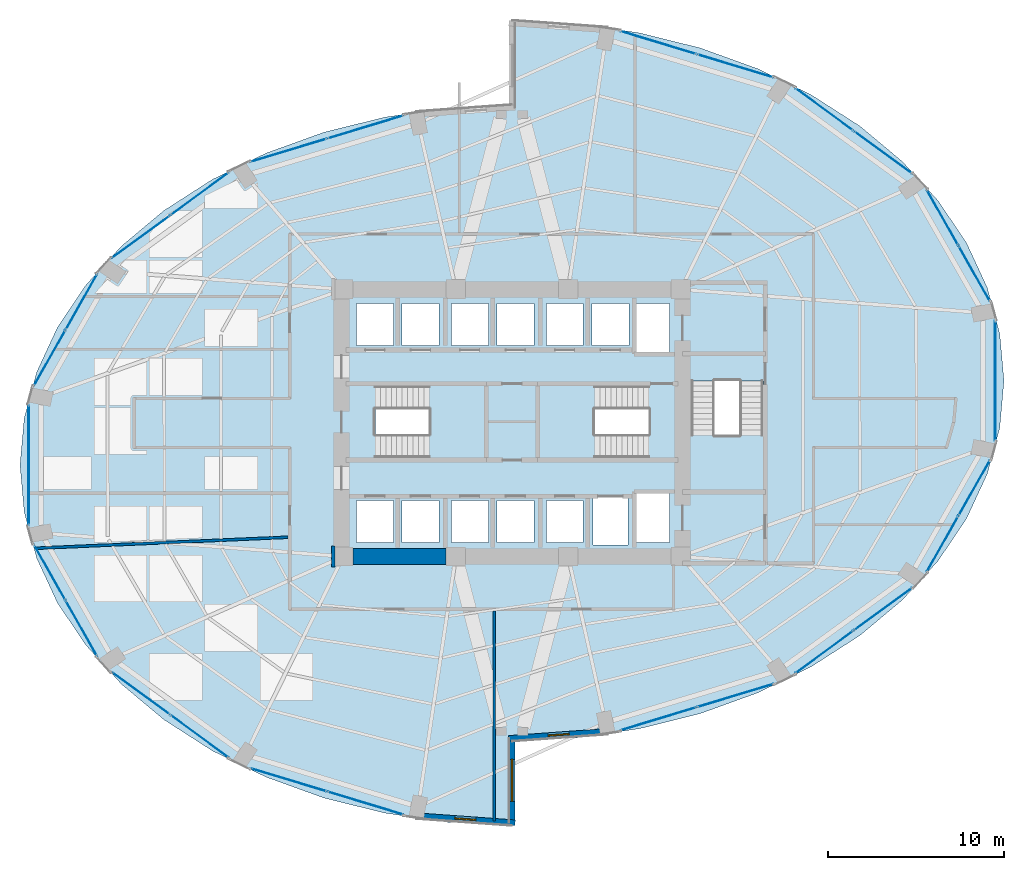
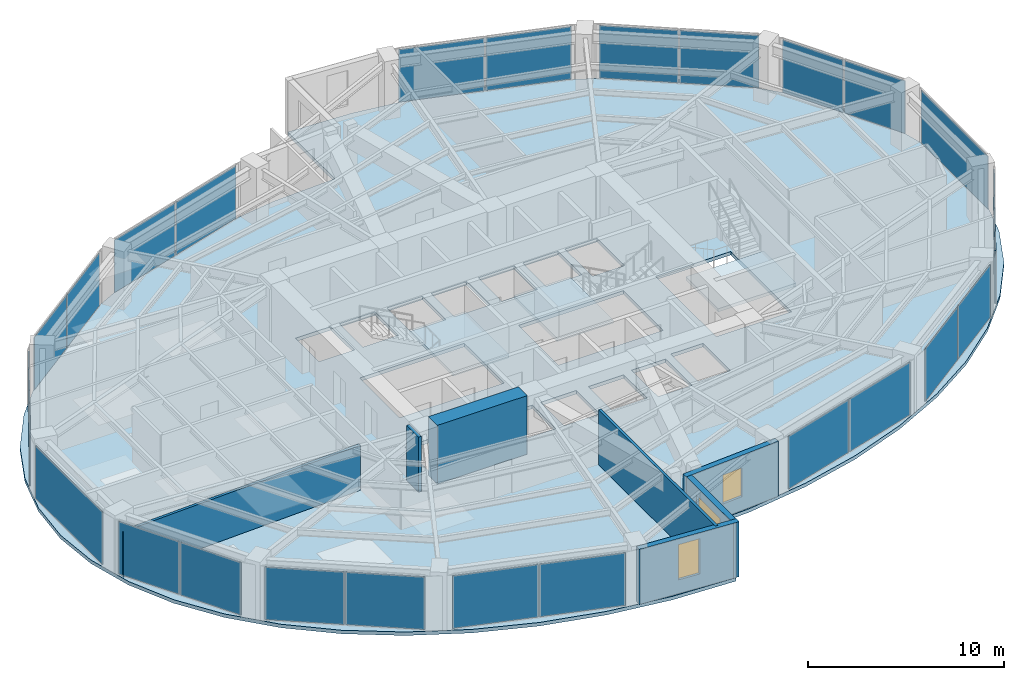
# One storey, part 19 of 24: 26 plates, 7 walls, 4 slabs, 3 windows, 3 openings, 17 elements without a shape of their own.
"""IFC4 building model written with IfcOpenShell, lengths in metres."""

from ifc_helpers import new_model, si_unit, direction, frame, frame_2d, origin, origin_2d, place, context, subcontext, project, spatial, polyline, rectangle, outline, extrude, material, layer, layer_set, type_object, element, fill, aggregate, save


model = new_model("IFC4")

# Units and contexts
model_context = context("Model", 3, precision=1e-05, world=origin(), true_north=direction((0.0, 1.0)))
body_context = subcontext(model_context, "Body", "Model", "MODEL_VIEW")
ifc_project = project(units=[si_unit("LENGTHUNIT", "METRE"), si_unit("AREAUNIT", "SQUARE_METRE"), si_unit("VOLUMEUNIT", "CUBIC_METRE"), si_unit("PLANEANGLEUNIT", "RADIAN"), si_unit("MASSUNIT", "GRAM", prefix="KILO")], contexts=[model_context])

# Site, building, storey
site_placement = place(None, origin())
site = spatial("IfcSite", under=ifc_project, at=site_placement, CompositionType="ELEMENT")
building_placement = place(site_placement, origin())
building = spatial("IfcBuilding", under=site, at=building_placement, Name="Lazwardi Medical Tower", CompositionType="ELEMENT")
storey_placement = place(building_placement, frame((0.0, 0.0, 36.14404296875)))
storey = spatial("IfcBuildingStorey", under=building, at=storey_placement, Name="L08", CompositionType="ELEMENT", Elevation=36.14404296875)

# Curtain wall, plates
ifc_material_1 = material(Name="Anodised bronze aluminium and solar control glazing", Category="aluminium")
ifc_layer_1 = layer(ifc_material_1, 0.199951171875)
ifc_layer_set_1 = layer_set([ifc_layer_1], Name="Anodised bronze aluminium and solar control glazing")
curtain_wall_type = type_object("IfcCurtainWallType", Name="CW-SYS-02", PredefinedType="NOTDEFINED", material=ifc_layer_set_1)
curtain_wall_1_placement = place(storey_placement, origin())
curtain_wall_1 = element("IfcCurtainWall", 1, at=curtain_wall_1_placement, inside=storey, type_object=curtain_wall_type, Name="L08 Unitised bronze curtain wall CW-02", PredefinedType="NOTDEFINED")
ifc_material_2 = material(Name="Low-e bronze solar control double glazing", Category="glass")
ifc_layer_2 = layer(ifc_material_2, 0.035888671875)
ifc_layer_set_2 = layer_set([ifc_layer_2], Name="Low-e bronze solar control double glazing")
plate_type = type_object("IfcPlateType", Name="PLT-GLZ-01", PredefinedType="CURTAIN_PANEL", material=ifc_layer_set_2)
plate_1_placement = place(storey_placement, frame((44.335693359375, 11.158935546875, 0.07470703125), z_axis=(0.0, 0.0, 1.0), x_axis=(0.957058247129, 0.2898956909, 0.0)))
plate_1 = element("IfcPlate", 2, at=plate_1_placement, type_object=plate_type, Name="CW-02 panel 1.1", PredefinedType="CURTAIN_PANEL", context=body_context, shape_type="SweptSolid", body=[
    extrude(rectangle(XDim=4.49658203125, YDim=0.035888671875, at=origin_2d()), origin(), (0.0, 0.0, 1.0), 3.278076171875),
])
plate_2_placement = place(storey_placement, frame((48.7109375, 12.484130859375, 0.07470703125), z_axis=(0.0, 0.0, 1.0), x_axis=(0.957058247129, 0.2898956909, 0.0)))
plate_2 = element("IfcPlate", 3, at=plate_2_placement, type_object=plate_type, Name="CW-02 panel 2.1", PredefinedType="CURTAIN_PANEL", context=body_context, shape_type="SweptSolid", body=[
    extrude(rectangle(XDim=4.49658203125, YDim=0.035888671875, at=origin_2d()), origin(), (0.0, 0.0, 1.0), 3.278076171875),
])
aggregate(curtain_wall_1, [plate_1, plate_2])

curtain_wall_2_placement = place(storey_placement, origin())
curtain_wall_2 = element("IfcCurtainWall", 4, at=curtain_wall_2_placement, inside=storey, type_object=curtain_wall_type, Name="L08 Unitised bronze curtain wall CW-02", PredefinedType="NOTDEFINED")
plate_3_placement = place(storey_placement, frame((53.771484375, 14.957275390625, 0.07470703125), z_axis=(0.0, 0.0, 1.0), x_axis=(0.807191757663, 0.590289307341, 0.0)))
plate_3 = element("IfcPlate", 5, at=plate_3_placement, type_object=plate_type, Name="CW-02 panel 1.1", PredefinedType="CURTAIN_PANEL", context=body_context, shape_type="SweptSolid", body=[
    extrude(rectangle(XDim=4.070068359375, YDim=0.035888671875, at=origin_2d()), origin(), (0.0, 0.0, 1.0), 3.278076171875),
])
plate_4_placement = place(storey_placement, frame((57.117431640625, 17.404052734375, 0.07470703125), z_axis=(0.0, 0.0, 1.0), x_axis=(0.807191757663, 0.590289307341, 0.0)))
plate_4 = element("IfcPlate", 6, at=plate_4_placement, type_object=plate_type, Name="CW-02 panel 2.1", PredefinedType="CURTAIN_PANEL", context=body_context, shape_type="SweptSolid", body=[
    extrude(rectangle(XDim=4.070068359375, YDim=0.035888671875, at=origin_2d()), origin(), (0.0, 0.0, 1.0), 3.278076171875),
])
aggregate(curtain_wall_2, [plate_3, plate_4])

curtain_wall_3_placement = place(storey_placement, origin())
curtain_wall_3 = element("IfcCurtainWall", 7, at=curtain_wall_3_placement, inside=storey, type_object=curtain_wall_type, Name="L08 Unitised bronze curtain wall CW-02", PredefinedType="NOTDEFINED")
plate_5_placement = place(storey_placement, frame((60.5009765625, 21.10791015625, 0.07470703125), z_axis=(0.0, 0.0, 1.0), x_axis=(0.492854327303, 0.870111838823, 0.0)))
plate_5 = element("IfcPlate", 8, at=plate_5_placement, type_object=plate_type, Name="CW-02 panel 1.1", PredefinedType="CURTAIN_PANEL", context=body_context, shape_type="SweptSolid", body=[
    extrude(rectangle(XDim=3.5947265625, YDim=0.035888671875, at=origin_2d()), origin(), (0.0, 0.0, 1.0), 3.278076171875),
])
plate_6_placement = place(storey_placement, frame((62.3095703125, 24.301025390625, 0.07470703125), z_axis=(0.0, 0.0, 1.0), x_axis=(0.492854327303, 0.870111838823, 0.0)))
plate_6 = element("IfcPlate", 9, at=plate_6_placement, type_object=plate_type, Name="CW-02 panel 2.1", PredefinedType="CURTAIN_PANEL", context=body_context, shape_type="SweptSolid", body=[
    extrude(rectangle(XDim=3.5947265625, YDim=0.035888671875, at=origin_2d()), origin(), (0.0, 0.0, 1.0), 3.278076171875),
])
aggregate(curtain_wall_3, [plate_5, plate_6])

# Curtain wall, plate
curtain_wall_4_placement = place(storey_placement, origin())
curtain_wall_4 = element("IfcCurtainWall", 10, at=curtain_wall_4_placement, inside=storey, type_object=curtain_wall_type, Name="L08 Unitised bronze curtain wall CW-02", PredefinedType="NOTDEFINED")
plate_7_placement = place(storey_placement, frame((63.49853515625, 30.39990234375, 0.07470703125), z_axis=(0.0, 0.0, 1.0), x_axis=(0.0, 1.0, 0.0)))
plate_7 = element("IfcPlate", 11, at=plate_7_placement, type_object=plate_type, Name="CW-02 panel 1.1", PredefinedType="CURTAIN_PANEL", context=body_context, shape_type="SweptSolid", body=[
    extrude(rectangle(XDim=6.8330078125, YDim=0.035888671875, at=origin_2d()), origin(), (0.0, 0.0, 1.0), 3.278076171875),
])
aggregate(curtain_wall_4, [plate_7])

# Curtain wall, plates
curtain_wall_5_placement = place(storey_placement, origin())
curtain_wall_5 = element("IfcCurtainWall", 12, at=curtain_wall_5_placement, inside=storey, type_object=curtain_wall_type, Name="L08 Unitised bronze curtain wall CW-02", PredefinedType="NOTDEFINED")
plate_8_placement = place(storey_placement, frame((62.3095703125, 36.498779296875, 0.07470703125), z_axis=(0.0, 0.0, 1.0), x_axis=(-0.492854327303, 0.870111838823, 0.0)))
plate_8 = element("IfcPlate", 13, at=plate_8_placement, type_object=plate_type, Name="CW-02 panel 1.1", PredefinedType="CURTAIN_PANEL", context=body_context, shape_type="SweptSolid", body=[
    extrude(rectangle(XDim=3.5947265625, YDim=0.035888671875, at=origin_2d()), origin(), (0.0, 0.0, 1.0), 3.278076171875),
])
plate_9_placement = place(storey_placement, frame((60.5009765625, 39.69189453125, 0.07470703125), z_axis=(0.0, 0.0, 1.0), x_axis=(-0.492854327303, 0.870111838823, 0.0)))
plate_9 = element("IfcPlate", 14, at=plate_9_placement, type_object=plate_type, Name="CW-02 panel 2.1", PredefinedType="CURTAIN_PANEL", context=body_context, shape_type="SweptSolid", body=[
    extrude(rectangle(XDim=3.5947265625, YDim=0.035888671875, at=origin_2d()), origin(), (0.0, 0.0, 1.0), 3.278076171875),
])
aggregate(curtain_wall_5, [plate_8, plate_9])

curtain_wall_6_placement = place(storey_placement, origin())
curtain_wall_6 = element("IfcCurtainWall", 15, at=curtain_wall_6_placement, inside=storey, type_object=curtain_wall_type, Name="L08 Unitised bronze curtain wall CW-02", PredefinedType="NOTDEFINED")
plate_10_placement = place(storey_placement, frame((57.117431640625, 43.39599609375, 0.07470703125), z_axis=(0.0, 0.0, 1.0), x_axis=(-0.807191757663, 0.590289307341, 0.0)))
plate_10 = element("IfcPlate", 16, at=plate_10_placement, type_object=plate_type, Name="CW-02 panel 1.1", PredefinedType="CURTAIN_PANEL", context=body_context, shape_type="SweptSolid", body=[
    extrude(rectangle(XDim=4.070068359375, YDim=0.035888671875, at=origin_2d()), origin(), (0.0, 0.0, 1.0), 3.278076171875),
])
plate_11_placement = place(storey_placement, frame((53.771484375, 45.8427734375, 0.07470703125), z_axis=(0.0, 0.0, 1.0), x_axis=(-0.807191757663, 0.590289307341, 0.0)))
plate_11 = element("IfcPlate", 17, at=plate_11_placement, type_object=plate_type, Name="CW-02 panel 2.1", PredefinedType="CURTAIN_PANEL", context=body_context, shape_type="SweptSolid", body=[
    extrude(rectangle(XDim=4.070068359375, YDim=0.035888671875, at=origin_2d()), origin(), (0.0, 0.0, 1.0), 3.278076171875),
])
aggregate(curtain_wall_6, [plate_10, plate_11])

curtain_wall_7_placement = place(storey_placement, origin())
curtain_wall_7 = element("IfcCurtainWall", 18, at=curtain_wall_7_placement, inside=storey, type_object=curtain_wall_type, Name="L08 Unitised bronze curtain wall CW-02", PredefinedType="NOTDEFINED")
plate_12_placement = place(storey_placement, frame((48.7109375, 48.31591796875, 0.07470703125), z_axis=(0.0, 0.0, 1.0), x_axis=(-0.957058247129, 0.2898956909, 0.0)))
plate_12 = element("IfcPlate", 19, at=plate_12_placement, type_object=plate_type, Name="CW-02 panel 1.1", PredefinedType="CURTAIN_PANEL", context=body_context, shape_type="SweptSolid", body=[
    extrude(rectangle(XDim=4.49658203125, YDim=0.035888671875, at=origin_2d()), origin(), (0.0, 0.0, 1.0), 3.278076171875),
])
plate_13_placement = place(storey_placement, frame((44.335693359375, 49.64111328125, 0.07470703125), z_axis=(0.0, 0.0, 1.0), x_axis=(-0.957058247129, 0.2898956909, 0.0)))
plate_13 = element("IfcPlate", 20, at=plate_13_placement, type_object=plate_type, Name="CW-02 panel 2.1", PredefinedType="CURTAIN_PANEL", context=body_context, shape_type="SweptSolid", body=[
    extrude(rectangle(XDim=4.49658203125, YDim=0.035888671875, at=origin_2d()), origin(), (0.0, 0.0, 1.0), 3.278076171875),
])
aggregate(curtain_wall_7, [plate_12, plate_13])

curtain_wall_8_placement = place(storey_placement, origin())
curtain_wall_8 = element("IfcCurtainWall", 21, at=curtain_wall_8_placement, inside=storey, type_object=curtain_wall_type, Name="L08 Unitised bronze curtain wall CW-02", PredefinedType="NOTDEFINED")
plate_14_placement = place(storey_placement, frame((27.664306640625, 44.841064453125, 0.07470703125), z_axis=(0.0, 0.0, 1.0), x_axis=(-0.957058247129, -0.2898956909, 0.0)))
plate_14 = element("IfcPlate", 22, at=plate_14_placement, type_object=plate_type, Name="CW-02 panel 1.1", PredefinedType="CURTAIN_PANEL", context=body_context, shape_type="SweptSolid", body=[
    extrude(rectangle(XDim=4.49658203125, YDim=0.035888671875, at=origin_2d()), origin(), (0.0, 0.0, 1.0), 3.278076171875),
])
plate_15_placement = place(storey_placement, frame((23.2890625, 43.515869140625, 0.07470703125), z_axis=(0.0, 0.0, 1.0), x_axis=(-0.957058247129, -0.2898956909, 0.0)))
plate_15 = element("IfcPlate", 23, at=plate_15_placement, type_object=plate_type, Name="CW-02 panel 2.1", PredefinedType="CURTAIN_PANEL", context=body_context, shape_type="SweptSolid", body=[
    extrude(rectangle(XDim=4.49658203125, YDim=0.035888671875, at=origin_2d()), origin(), (0.0, 0.0, 1.0), 3.278076171875),
])
aggregate(curtain_wall_8, [plate_14, plate_15])

curtain_wall_9_placement = place(storey_placement, origin())
curtain_wall_9 = element("IfcCurtainWall", 24, at=curtain_wall_9_placement, inside=storey, type_object=curtain_wall_type, Name="L08 Unitised bronze curtain wall CW-02", PredefinedType="NOTDEFINED")
plate_16_placement = place(storey_placement, frame((18.228515625, 41.042724609375, 0.07470703125), z_axis=(0.0, 0.0, 1.0), x_axis=(-0.807191757663, -0.590289307341, 0.0)))
plate_16 = element("IfcPlate", 25, at=plate_16_placement, type_object=plate_type, Name="CW-02 panel 1.1", PredefinedType="CURTAIN_PANEL", context=body_context, shape_type="SweptSolid", body=[
    extrude(rectangle(XDim=4.070068359375, YDim=0.035888671875, at=origin_2d()), origin(), (0.0, 0.0, 1.0), 3.278076171875),
])
plate_17_placement = place(storey_placement, frame((14.882568359375, 38.595947265625, 0.07470703125), z_axis=(0.0, 0.0, 1.0), x_axis=(-0.807191757663, -0.590289307341, 0.0)))
plate_17 = element("IfcPlate", 26, at=plate_17_placement, type_object=plate_type, Name="CW-02 panel 2.1", PredefinedType="CURTAIN_PANEL", context=body_context, shape_type="SweptSolid", body=[
    extrude(rectangle(XDim=4.070068359375, YDim=0.035888671875, at=origin_2d()), origin(), (0.0, 0.0, 1.0), 3.278076171875),
])
aggregate(curtain_wall_9, [plate_16, plate_17])

curtain_wall_10_placement = place(storey_placement, origin())
curtain_wall_10 = element("IfcCurtainWall", 27, at=curtain_wall_10_placement, inside=storey, type_object=curtain_wall_type, Name="L08 Unitised bronze curtain wall CW-02", PredefinedType="NOTDEFINED")
plate_18_placement = place(storey_placement, frame((11.4990234375, 34.89208984375, 0.07470703125), z_axis=(0.0, 0.0, 1.0), x_axis=(-0.492854327303, -0.870111838823, 0.0)))
plate_18 = element("IfcPlate", 28, at=plate_18_placement, type_object=plate_type, Name="CW-02 panel 1.1", PredefinedType="CURTAIN_PANEL", context=body_context, shape_type="SweptSolid", body=[
    extrude(rectangle(XDim=3.5947265625, YDim=0.035888671875, at=origin_2d()), origin(), (0.0, 0.0, 1.0), 3.278076171875),
])
plate_19_placement = place(storey_placement, frame((9.6904296875, 31.698974609375, 0.07470703125), z_axis=(0.0, 0.0, 1.0), x_axis=(-0.492854327303, -0.870111838823, 0.0)))
plate_19 = element("IfcPlate", 29, at=plate_19_placement, type_object=plate_type, Name="CW-02 panel 2.1", PredefinedType="CURTAIN_PANEL", context=body_context, shape_type="SweptSolid", body=[
    extrude(rectangle(XDim=3.5947265625, YDim=0.035888671875, at=origin_2d()), origin(), (0.0, 0.0, 1.0), 3.278076171875),
])
aggregate(curtain_wall_10, [plate_18, plate_19])

# Curtain wall, plate
curtain_wall_11_placement = place(storey_placement, origin())
curtain_wall_11 = element("IfcCurtainWall", 30, at=curtain_wall_11_placement, inside=storey, type_object=curtain_wall_type, Name="L08 Unitised bronze curtain wall CW-02", PredefinedType="NOTDEFINED")
plate_20_placement = place(storey_placement, frame((8.50146484375, 25.60009765625, 0.07470703125), z_axis=(0.0, 0.0, 1.0), x_axis=(0.0, -1.0, 0.0)))
plate_20 = element("IfcPlate", 31, at=plate_20_placement, type_object=plate_type, Name="CW-02 panel 1.1", PredefinedType="CURTAIN_PANEL", context=body_context, shape_type="SweptSolid", body=[
    extrude(rectangle(XDim=6.8330078125, YDim=0.035888671875, at=origin_2d()), origin(), (0.0, 0.0, 1.0), 3.278076171875),
])
aggregate(curtain_wall_11, [plate_20])

# Curtain wall, plates
curtain_wall_12_placement = place(storey_placement, origin())
curtain_wall_12 = element("IfcCurtainWall", 32, at=curtain_wall_12_placement, inside=storey, type_object=curtain_wall_type, Name="L08 Unitised bronze curtain wall CW-02", PredefinedType="NOTDEFINED")
plate_21_placement = place(storey_placement, frame((9.6904296875, 19.501220703125, 0.07470703125), z_axis=(0.0, 0.0, 1.0), x_axis=(0.492854327303, -0.870111838823, 0.0)))
plate_21 = element("IfcPlate", 33, at=plate_21_placement, type_object=plate_type, Name="CW-02 panel 1.1", PredefinedType="CURTAIN_PANEL", context=body_context, shape_type="SweptSolid", body=[
    extrude(rectangle(XDim=3.5947265625, YDim=0.035888671875, at=origin_2d()), origin(), (0.0, 0.0, 1.0), 3.278076171875),
])
plate_22_placement = place(storey_placement, frame((11.4990234375, 16.30810546875, 0.07470703125), z_axis=(0.0, 0.0, 1.0), x_axis=(0.492854327303, -0.870111838823, 0.0)))
plate_22 = element("IfcPlate", 34, at=plate_22_placement, type_object=plate_type, Name="CW-02 panel 2.1", PredefinedType="CURTAIN_PANEL", context=body_context, shape_type="SweptSolid", body=[
    extrude(rectangle(XDim=3.5947265625, YDim=0.035888671875, at=origin_2d()), origin(), (0.0, 0.0, 1.0), 3.278076171875),
])
aggregate(curtain_wall_12, [plate_21, plate_22])

curtain_wall_13_placement = place(storey_placement, origin())
curtain_wall_13 = element("IfcCurtainWall", 35, at=curtain_wall_13_placement, inside=storey, type_object=curtain_wall_type, Name="L08 Unitised bronze curtain wall CW-02", PredefinedType="NOTDEFINED")
plate_23_placement = place(storey_placement, frame((14.882568359375, 12.60400390625, 0.07470703125), z_axis=(0.0, 0.0, 1.0), x_axis=(0.807191757663, -0.590289307341, 0.0)))
plate_23 = element("IfcPlate", 36, at=plate_23_placement, type_object=plate_type, Name="CW-02 panel 1.1", PredefinedType="CURTAIN_PANEL", context=body_context, shape_type="SweptSolid", body=[
    extrude(rectangle(XDim=4.070068359375, YDim=0.035888671875, at=origin_2d()), origin(), (0.0, 0.0, 1.0), 3.278076171875),
])
plate_24_placement = place(storey_placement, frame((18.228515625, 10.1572265625, 0.07470703125), z_axis=(0.0, 0.0, 1.0), x_axis=(0.807191757663, -0.590289307341, 0.0)))
plate_24 = element("IfcPlate", 37, at=plate_24_placement, type_object=plate_type, Name="CW-02 panel 2.1", PredefinedType="CURTAIN_PANEL", context=body_context, shape_type="SweptSolid", body=[
    extrude(rectangle(XDim=4.070068359375, YDim=0.035888671875, at=origin_2d()), origin(), (0.0, 0.0, 1.0), 3.278076171875),
])
aggregate(curtain_wall_13, [plate_23, plate_24])

curtain_wall_14_placement = place(storey_placement, origin())
curtain_wall_14 = element("IfcCurtainWall", 38, at=curtain_wall_14_placement, inside=storey, type_object=curtain_wall_type, Name="L08 Unitised bronze curtain wall CW-02", PredefinedType="NOTDEFINED")
plate_25_placement = place(storey_placement, frame((23.2890625, 7.68408203125, 0.07470703125), z_axis=(0.0, 0.0, 1.0), x_axis=(0.957058247129, -0.2898956909, 0.0)))
plate_25 = element("IfcPlate", 39, at=plate_25_placement, type_object=plate_type, Name="CW-02 panel 1.1", PredefinedType="CURTAIN_PANEL", context=body_context, shape_type="SweptSolid", body=[
    extrude(rectangle(XDim=4.49658203125, YDim=0.035888671875, at=origin_2d()), origin(), (0.0, 0.0, 1.0), 3.278076171875),
])
plate_26_placement = place(storey_placement, frame((27.664306640625, 6.35888671875, 0.07470703125), z_axis=(0.0, 0.0, 1.0), x_axis=(0.957058247129, -0.2898956909, 0.0)))
plate_26 = element("IfcPlate", 40, at=plate_26_placement, type_object=plate_type, Name="CW-02 panel 2.1", PredefinedType="CURTAIN_PANEL", context=body_context, shape_type="SweptSolid", body=[
    extrude(rectangle(XDim=4.49658203125, YDim=0.035888671875, at=origin_2d()), origin(), (0.0, 0.0, 1.0), 3.278076171875),
])
aggregate(curtain_wall_14, [plate_25, plate_26])

# Stair, slab
ifc_material_3 = material(Name="Concrete C45/55", Category="concrete")
stair_type = type_object("IfcStairType", Name="STR-WRD", PredefinedType="HALF_TURN_STAIR", material=ifc_material_3)
stair_1_placement = place(storey_placement, origin())
stair_1 = element("IfcStair", 41, at=stair_1_placement, inside=storey, type_object=stair_type, Name="L08 Protected Exit Stair ST1", PredefinedType="HALF_TURN_STAIR")
ifc_layer_3 = layer(ifc_material_3, 0.199951171875)
ifc_layer_set_3 = layer_set([ifc_layer_3], Name="Concrete C45/55")
slab_type_1 = type_object("IfcSlabType", Name="SLB-LND-190", PredefinedType="LANDING", material=ifc_layer_set_3)
slab_1_placement = place(storey_placement, frame((0.0, 0.0, 1.6240234375)))
slab_1 = element("IfcSlab", 42, at=slab_1_placement, type_object=slab_type_1, Name="ST1 landing 1", PredefinedType="LANDING", context=body_context, shape_type="SweptSolid", body=[
    extrude(outline(polyline([(31.27490234375, 25.840087890625), (34.580078125, 25.840087890625), (34.580078125, 30.280029296875), (31.27490234375, 30.280029296875), (31.27490234375, 25.840087890625)])), origin(), (0.0, 0.0, 1.0), 0.199951171875),
])
aggregate(stair_1, [slab_1])

stair_2_placement = place(storey_placement, origin())
stair_2 = element("IfcStair", 43, at=stair_2_placement, inside=storey, type_object=stair_type, Name="L08 Protected Exit Stair ST2", PredefinedType="HALF_TURN_STAIR")
slab_2_placement = place(storey_placement, frame((0.0, 0.0, 1.6240234375)))
slab_2 = element("IfcSlab", 44, at=slab_2_placement, type_object=slab_type_1, Name="ST2 landing 1", PredefinedType="LANDING", context=body_context, shape_type="SweptSolid", body=[
    extrude(outline(polyline([(40.72509765625, 30.280029296875), (37.419921875, 30.280029296875), (37.419921875, 25.840087890625), (40.72509765625, 25.840087890625), (40.72509765625, 30.280029296875)])), origin(), (0.0, 0.0, 1.0), 0.199951171875),
])
aggregate(stair_2, [slab_2])

stair_3_placement = place(storey_placement, origin())
stair_3 = element("IfcStair", 45, at=stair_3_placement, inside=storey, type_object=stair_type, Name="L08 Protected Exit Stair ST3", PredefinedType="HALF_TURN_STAIR")
slab_3_placement = place(storey_placement, frame((0.0, 0.0, 1.6240234375)))
slab_3 = element("IfcSlab", 46, at=slab_3_placement, type_object=slab_type_1, Name="ST3 landing 1", PredefinedType="LANDING", context=body_context, shape_type="SweptSolid", body=[
    extrude(outline(polyline([(45.860107421875, 27.324951171875), (45.860107421875, 24.02001953125), (50.4599609375, 24.02001953125), (50.4599609375, 27.324951171875), (45.860107421875, 27.324951171875)])), origin(), (0.0, 0.0, 1.0), 0.199951171875),
])
aggregate(stair_3, [slab_3])

# Slab
ifc_material_4 = material(Name="Concrete C50/60", Category="concrete")
ifc_layer_4 = layer(ifc_material_4, 0.219970703125)
ifc_layer_set_4 = layer_set([ifc_layer_4], Name="Concrete C50/60")
slab_type_2 = type_object("IfcSlabType", Name="SLB-WRD-220", PredefinedType="FLOOR", material=ifc_layer_set_4)
slab_4_placement = place(storey_placement, frame((0.0, 0.0, -0.219970703125)))
element("IfcSlab", 47, at=slab_4_placement, inside=storey, type_object=slab_type_2, Name="Structural floor slab SF-03 L08", PredefinedType="FLOOR", context=body_context, shape_type="SweptSolid", body=[
    extrude(outline(polyline([(10.13134765625, 33.445068359375), (8.9541015625, 30.90576171875), (8.239501953125, 28.27587890625), (8.0, 25.60009765625), (8.239501953125, 22.92431640625), (8.9541015625, 20.294189453125), (10.13134765625, 17.7548828125), (11.751220703125, 15.35009765625), (13.7861328125, 13.120361328125), (16.200927734375, 11.104248046875), (18.95458984375, 9.336181640625), (22.0, 7.846435546875), (25.284912109375, 6.660400390625), (28.753173828125, 5.798583984375), (32.34521484375, 5.275390625), (36.0, 5.10009765625), (36.0, 9.89990234375), (39.65478515625, 10.075439453125), (43.246826171875, 10.598388671875), (46.715087890625, 11.46044921875), (50.0, 12.646484375), (53.04541015625, 14.13623046875), (55.799072265625, 15.904296875), (58.2138671875, 17.92041015625), (60.248779296875, 20.14990234375), (61.86865234375, 22.554931640625), (63.0458984375, 25.09423828125), (63.760498046875, 27.72412109375), (64.0, 30.39990234375), (63.760498046875, 33.07568359375), (63.0458984375, 35.705810546875), (61.86865234375, 38.2451171875), (60.248779296875, 40.64990234375), (58.2138671875, 42.879638671875), (55.799072265625, 44.895751953125), (53.04541015625, 46.663818359375), (50.0, 48.153564453125), (46.715087890625, 49.339599609375), (43.246826171875, 50.201416015625), (39.65478515625, 50.724609375), (36.0, 50.89990234375), (36.0, 46.10009765625), (32.34521484375, 45.924560546875), (28.753173828125, 45.401611328125), (25.284912109375, 44.53955078125), (22.0, 43.353515625), (18.95458984375, 41.86376953125), (16.200927734375, 40.095703125), (13.7861328125, 38.07958984375), (11.751220703125, 35.85009765625), (10.13134765625, 33.445068359375)]), holes=[polyline([(28.22509765625, 26.02001953125), (28.22509765625, 30.10009765625), (34.39990234375, 30.10009765625), (34.39990234375, 26.02001953125), (28.22509765625, 26.02001953125)]), polyline([(37.60009765625, 30.10009765625), (43.77490234375, 30.10009765625), (43.77490234375, 26.02001953125), (37.60009765625, 26.02001953125), (37.60009765625, 30.10009765625)]), polyline([(50.280029296875, 30.375), (50.280029296875, 24.179931640625), (45.840087890625, 24.179931640625), (45.840087890625, 30.375), (50.280029296875, 30.375)]), polyline([(29.25, 32.39990234375), (27.14990234375, 32.39990234375), (27.14990234375, 34.800048828125), (29.25, 34.800048828125), (29.25, 32.39990234375)]), polyline([(29.75, 32.39990234375), (29.75, 34.800048828125), (31.85009765625, 34.800048828125), (31.85009765625, 32.39990234375), (29.75, 32.39990234375)]), polyline([(27.14990234375, 23.60009765625), (29.25, 23.60009765625), (29.25, 21.199951171875), (27.14990234375, 21.199951171875), (27.14990234375, 23.60009765625)]), polyline([(31.85009765625, 23.60009765625), (31.85009765625, 21.199951171875), (29.75, 21.199951171875), (29.75, 23.60009765625), (31.85009765625, 23.60009765625)]), polyline([(34.64990234375, 32.39990234375), (32.550048828125, 32.39990234375), (32.550048828125, 34.800048828125), (34.64990234375, 34.800048828125), (34.64990234375, 32.39990234375)]), polyline([(35.14990234375, 32.39990234375), (35.14990234375, 34.800048828125), (37.25, 34.800048828125), (37.25, 32.39990234375), (35.14990234375, 32.39990234375)]), polyline([(32.550048828125, 23.60009765625), (34.64990234375, 23.60009765625), (34.64990234375, 21.199951171875), (32.550048828125, 21.199951171875), (32.550048828125, 23.60009765625)]), polyline([(37.25, 23.60009765625), (37.25, 21.199951171875), (35.14990234375, 21.199951171875), (35.14990234375, 23.60009765625), (37.25, 23.60009765625)]), polyline([(40.050048828125, 32.39990234375), (37.949951171875, 32.39990234375), (37.949951171875, 34.800048828125), (40.050048828125, 34.800048828125), (40.050048828125, 32.39990234375)]), polyline([(40.550048828125, 32.39990234375), (40.550048828125, 34.800048828125), (42.64990234375, 34.800048828125), (42.64990234375, 32.39990234375), (40.550048828125, 32.39990234375)]), polyline([(37.949951171875, 23.60009765625), (40.050048828125, 23.60009765625), (40.050048828125, 21.199951171875), (37.949951171875, 21.199951171875), (37.949951171875, 23.60009765625)]), polyline([(44.949951171875, 34.800048828125), (44.949951171875, 32.0), (43.050048828125, 32.0), (43.050048828125, 34.800048828125), (44.949951171875, 34.800048828125)]), polyline([(44.949951171875, 21.199951171875), (43.050048828125, 21.199951171875), (43.050048828125, 24.0), (44.949951171875, 24.0), (44.949951171875, 21.199951171875)]), polyline([(40.60009765625, 21.050048828125), (40.60009765625, 23.75), (42.60009765625, 23.75), (42.60009765625, 21.050048828125), (40.60009765625, 21.050048828125)])]), origin(), (0.0, 0.0, 1.0), 0.219970703125),
])

# Walls
ifc_material_5 = material(Name="Fire-rated gypsum board on steel stud", Category="steel")
ifc_layer_5 = layer(ifc_material_5, 0.179931640625)
ifc_layer_set_5 = layer_set([ifc_layer_5], Name="Fire-rated gypsum board on steel stud")
wall_type_1 = type_object("IfcWallType", Name="WL-COR-180", PredefinedType="PARTITIONING", material=ifc_layer_set_5)
wall_1_placement = place(storey_placement, frame((25.830078125, 21.010009765625, 0.0), z_axis=(0.0, 0.0, 1.0), x_axis=(0.0, -1.0, 0.0)))
element("IfcWall", 48, at=wall_1_placement, inside=storey, type_object=wall_type_1, Name="L08 Corridor partition 13", PredefinedType="PARTITIONING", context=body_context, shape_type="SweptSolid", body=[
    extrude(rectangle(XDim=1.219970703125, YDim=0.179931640625, at=frame_2d((0.60986328125, 0.0))), origin(), (0.0, 0.0, 1.0), 3.427978515625),
])
ifc_material_6 = material(Name="Concrete C80/95", Category="concrete")
ifc_layer_6 = layer(ifc_material_6, 0.89990234375)
ifc_layer_set_6 = layer_set([ifc_layer_6], Name="Concrete C80/95")
wall_type_2 = type_object("IfcWallType", Name="WL-CORE-900", PredefinedType="SHEAR", material=ifc_layer_set_6)
wall_2_placement = place(storey_placement, frame((26.949951171875, 20.39990234375, 0.0), z_axis=(0.0, 0.0, 1.0), x_axis=(1.0, 0.0, 0.0)))
element("IfcWall", 49, at=wall_2_placement, inside=storey, type_object=wall_type_2, Name="Core wall CW-S1 S1 L08", PredefinedType="SHEAR", context=body_context, shape_type="SweptSolid", body=[
    extrude(rectangle(XDim=5.300048828125, YDim=0.89990234375, at=frame_2d((2.64990234375, 0.0))), origin(), (0.0, 0.0, 1.0), 3.64794921875),
])

# Wall, opening, window
ifc_material_7 = material(Name="Precast concrete C45/55", Category="concrete")
ifc_layer_7 = layer(ifc_material_7, 0.320068359375)
ifc_layer_set_7 = layer_set([ifc_layer_7], Name="Precast concrete C45/55")
wall_type_3 = type_object("IfcWallType", Name="WL-IWAN-320", PredefinedType="SOLIDWALL", material=ifc_layer_set_7)
wall_3_placement = place(storey_placement, frame((35.820556640625, 10.047119140625, 0.0), z_axis=(0.0, 0.0, 1.0), x_axis=(0.997422321809, 0.071754525696, 0.0)))
wall_3 = element("IfcWall", 50, at=wall_3_placement, inside=storey, type_object=wall_type_3, Name="L08 Iwan Portal Return Wall SE_ret", PredefinedType="SOLIDWALL", context=body_context, shape_type="SweptSolid", body=[
    extrude(rectangle(XDim=5.67529296875, YDim=0.320068359375, at=frame_2d((2.837646484375, 0.0))), origin(), (0.0, 0.0, 1.0), 3.427978515625),
])
opening_1_placement = place(wall_3_placement, frame((2.23779296875, 0.0, 0.85009765625)))
opening_1 = element("IfcOpeningElement", 51, at=opening_1_placement, cuts=wall_3, Name="Opening WN-04", PredefinedType="OPENING", context=body_context, shape_type="SweptSolid", body=[
    extrude(rectangle(XDim=1.199951171875, YDim=1.800048828125, at=frame_2d((0.60009765625, 0.89990234375))), frame((0.0, 0.169921875, 0.0), z_axis=(0.0, -1.0, 0.0), x_axis=(1.0, 0.0, 0.0)), (0.0, 0.0, 1.0), 0.340087890625),
])
window_type_1 = type_object("IfcWindowType", Name="WIN-DRUM-1200", PartitioningType="SINGLE_PANEL", PredefinedType="WINDOW", material=ifc_material_2)
window_1_placement = place(opening_1_placement, origin())
window_1 = element("IfcWindow", 52, at=window_1_placement, inside=storey, type_object=window_type_1, Name="L08 Iwan Slot Window SE_ret", OverallHeight=1.800048828125, OverallWidth=1.199951171875, PartitioningType="SINGLE_PANEL", PredefinedType="WINDOW", context=body_context, shape_type="SweptSolid", body=[
    extrude(rectangle(XDim=1.199951171875, YDim=1.800048828125, at=frame_2d((0.60009765625, 0.89990234375))), frame((0.0, 0.030029296875, 0.0), z_axis=(0.0, -1.0, 0.0), x_axis=(1.0, 0.0, 0.0)), (0.0, 0.0, 1.0), 0.06005859375),
])
fill(opening_1, window_1)

wall_4_placement = place(storey_placement, frame((30.518798828125, 5.654296875, 0.0), z_axis=(0.0, 0.0, 1.0), x_axis=(0.997421878774, -0.071760683825, 0.0)))
wall_4 = element("IfcWall", 53, at=wall_4_placement, inside=storey, type_object=wall_type_3, Name="L08 Iwan Portal Return Wall SW_ret", PredefinedType="SOLIDWALL", context=body_context, shape_type="SweptSolid", body=[
    extrude(rectangle(XDim=5.6748046875, YDim=0.320068359375, at=frame_2d((2.83740234375, 0.0))), origin(), (0.0, 0.0, 1.0), 3.427978515625),
])
opening_2_placement = place(wall_4_placement, frame((2.2373046875, 0.0, 0.85009765625)))
opening_2 = element("IfcOpeningElement", 54, at=opening_2_placement, cuts=wall_4, Name="Opening WN-01", PredefinedType="OPENING", context=body_context, shape_type="SweptSolid", body=[
    extrude(rectangle(XDim=1.199951171875, YDim=2.199951171875, at=frame_2d((0.60009765625, 1.10009765625))), frame((0.0, 0.169921875, 0.0), z_axis=(0.0, -1.0, 0.0), x_axis=(1.0, 0.0, 0.0)), (0.0, 0.0, 1.0), 0.340087890625),
])
window_type_2 = type_object("IfcWindowType", Name="WIN-IW-1200", PartitioningType="SINGLE_PANEL", PredefinedType="WINDOW", material=ifc_material_2)
window_2_placement = place(opening_2_placement, origin())
window_2 = element("IfcWindow", 55, at=window_2_placement, inside=storey, type_object=window_type_2, Name="L08 Iwan Slot Window SW_ret", OverallHeight=2.199951171875, OverallWidth=1.199951171875, PartitioningType="SINGLE_PANEL", PredefinedType="WINDOW", context=body_context, shape_type="SweptSolid", body=[
    extrude(rectangle(XDim=1.199951171875, YDim=2.199951171875, at=frame_2d((0.60009765625, 1.10009765625))), frame((0.0, 0.030029296875, 0.0), z_axis=(0.0, -1.0, 0.0), x_axis=(1.0, 0.0, 0.0)), (0.0, 0.0, 1.0), 0.06005859375),
])
fill(opening_2, window_2)

wall_5_placement = place(storey_placement, frame((36.0, 5.10009765625, 0.0), z_axis=(0.0, 0.0, 1.0), x_axis=(0.0, 1.0, 0.0)))
wall_5 = element("IfcWall", 56, at=wall_5_placement, inside=storey, type_object=wall_type_3, Name="L08 Turquoise Tilework Iwan Seam Wall S_seam", PredefinedType="SOLIDWALL", context=body_context, shape_type="SweptSolid", body=[
    extrude(rectangle(XDim=5.119873046875, YDim=0.320068359375, at=frame_2d((2.56005859375, 0.0))), origin(), (0.0, 0.0, 1.0), 3.427978515625),
])
opening_3_placement = place(wall_5_placement, frame((1.360107421875, 0.0, 0.840087890625)))
opening_3 = element("IfcOpeningElement", 57, at=opening_3_placement, cuts=wall_5, Name="Opening WN-02", PredefinedType="OPENING", context=body_context, shape_type="SweptSolid", body=[
    extrude(rectangle(XDim=2.39990234375, YDim=2.0400390625, at=frame_2d((1.199951171875, 1.02001953125))), frame((0.0, 0.169921875, 0.0), z_axis=(0.0, -1.0, 0.0), x_axis=(1.0, 0.0, 0.0)), (0.0, 0.0, 1.0), 0.340087890625),
])
window_type_3 = type_object("IfcWindowType", Name="WIN-IW-2400", PartitioningType="SINGLE_PANEL", PredefinedType="WINDOW", material=ifc_material_2)
window_3_placement = place(opening_3_placement, origin())
window_3 = element("IfcWindow", 58, at=window_3_placement, inside=storey, type_object=window_type_3, Name="L08 Iwan Seam Window S_seam", OverallHeight=2.0400390625, OverallWidth=2.39990234375, PartitioningType="SINGLE_PANEL", PredefinedType="WINDOW", context=body_context, shape_type="SweptSolid", body=[
    extrude(rectangle(XDim=2.39990234375, YDim=2.0400390625, at=frame_2d((1.199951171875, 1.02001953125))), frame((0.0, 0.030029296875, 0.0), z_axis=(0.0, -1.0, 0.0), x_axis=(1.0, 0.0, 0.0)), (0.0, 0.0, 1.0), 0.06005859375),
])
fill(opening_3, window_3)

# Walls
ifc_material_8 = material(Name="Acoustic gypsum board partition")
ifc_layer_8 = layer(ifc_material_8, 0.14990234375)
ifc_layer_set_8 = layer_set([ifc_layer_8], Name="Acoustic gypsum board partition")
wall_type_4 = type_object("IfcWallType", Name="WL-WRD-150", PredefinedType="PARTITIONING", material=ifc_layer_set_8)
wall_6_placement = place(storey_placement, frame((8.90478515625, 20.868408203125, 0.0), z_axis=(0.0, 0.0, 1.0), x_axis=(0.999043936959, 0.043717411007, 0.0)))
element("IfcWall", 59, at=wall_6_placement, inside=storey, type_object=wall_type_4, Name="L08 Room partition 1", PredefinedType="PARTITIONING", context=body_context, shape_type="SweptSolid", body=[
    extrude(rectangle(XDim=14.368896484375, YDim=0.14990234375, at=frame_2d((7.1845703125, 0.0))), origin(), (0.0, 0.0, 1.0), 2.81298828125),
])
wall_7_placement = place(storey_placement, frame((35.0, 5.355712890625, 0.0), z_axis=(0.0, 0.0, 1.0), x_axis=(0.0, 1.0, 0.0)))
element("IfcWall", 60, at=wall_7_placement, inside=storey, type_object=wall_type_4, Name="L08 Room partition 8", PredefinedType="PARTITIONING", context=body_context, shape_type="SweptSolid", body=[
    extrude(rectangle(XDim=11.954345703125, YDim=0.14990234375, at=frame_2d((5.97705078125, 0.0))), origin(), (0.0, 0.0, 1.0), 3.427978515625),
])

save(model, "model.ifc")
